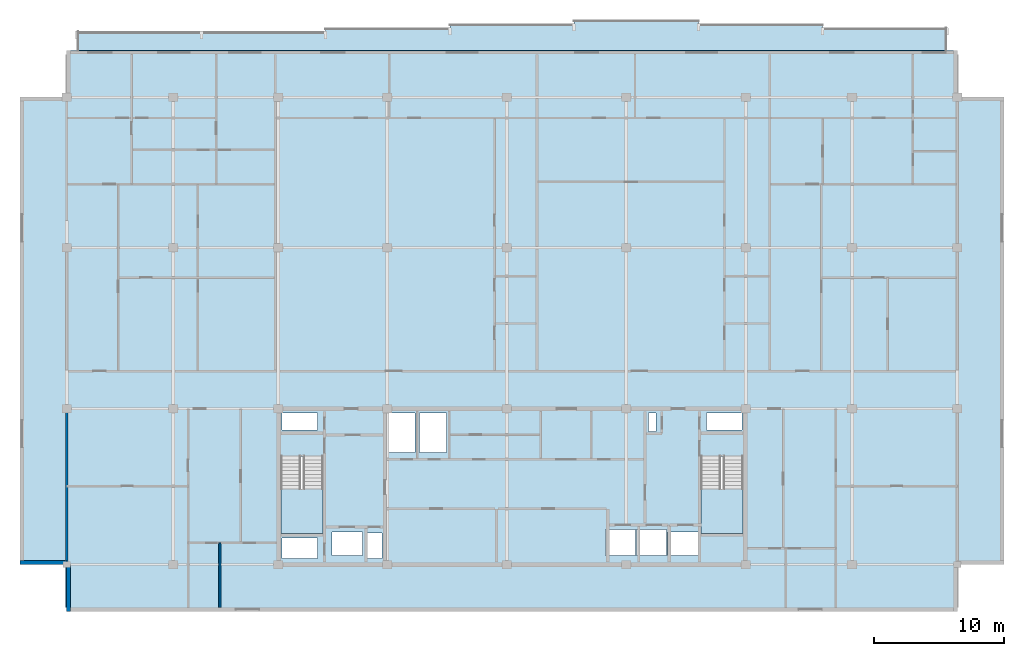
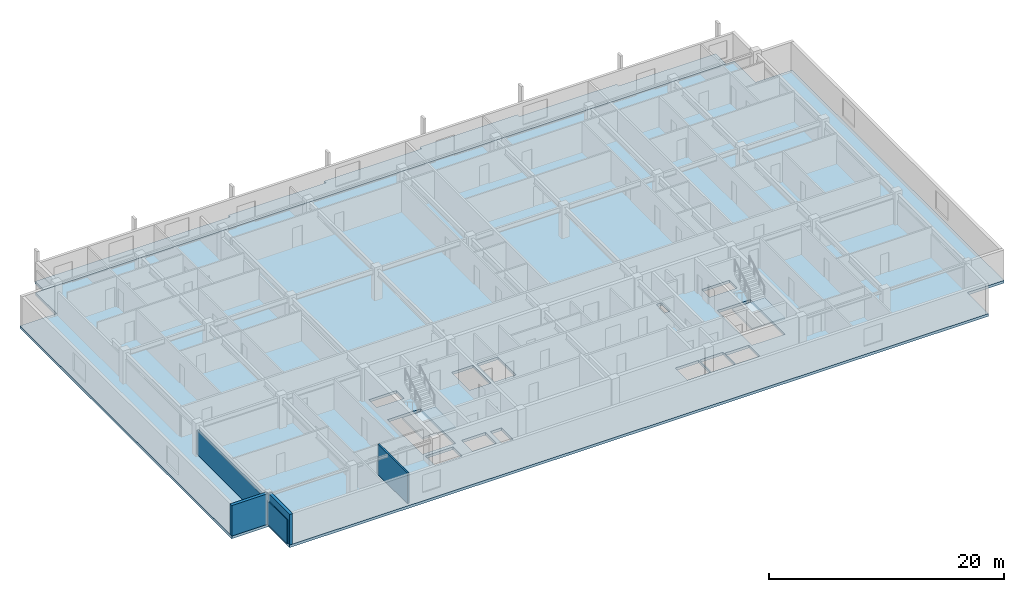
# One storey, part 2 of 10: 4 slabs, 4 walls, 2 elements without a shape of their own.
"""IFC4 building model written with IfcOpenShell, lengths in metres."""

from ifc_helpers import new_model, si_unit, direction, frame, frame_2d, origin, place, context, subcontext, project, spatial, polyline, rectangle, outline, extrude, material, layer, layer_set, type_object, element, aggregate, save


model = new_model("IFC4")

# Units and contexts
model_context = context("Model", 3, precision=1e-05, world=origin(), true_north=direction((0.0, 1.0)))
body_context = subcontext(model_context, "Body", "Model", "MODEL_VIEW")
ifc_project = project(units=[si_unit("LENGTHUNIT", "METRE"), si_unit("AREAUNIT", "SQUARE_METRE"), si_unit("VOLUMEUNIT", "CUBIC_METRE"), si_unit("PLANEANGLEUNIT", "RADIAN"), si_unit("MASSUNIT", "GRAM", prefix="KILO")], contexts=[model_context])

# Site, building, storey
site_placement = place(None, origin())
site = spatial("IfcSite", under=ifc_project, at=site_placement, CompositionType="ELEMENT")
building_placement = place(site_placement, origin())
building = spatial("IfcBuilding", under=site, at=building_placement, Name="Korimba Cascade Residences", CompositionType="ELEMENT")
storey_placement = place(building_placement, frame((0.0, 0.0, 245.89990234375)))
storey = spatial("IfcBuildingStorey", under=building, at=storey_placement, Name="L71", CompositionType="ELEMENT", Elevation=245.89990234375)

# Stair, slab
ifc_material_1 = material(Name="Concrete C50/60", Category="concrete")
stair_type_1 = type_object("IfcStairType", Name="STR-W1-20R-1725", PredefinedType="HALF_TURN_STAIR", material=ifc_material_1)
stair_1_placement = place(storey_placement, origin())
stair_1 = element("IfcStair", 1, at=stair_1_placement, inside=storey, type_object=stair_type_1, Name="L71 Tower 1 West Fire Stair ST-W1", PredefinedType="HALF_TURN_STAIR")
ifc_layer_1 = layer(ifc_material_1, 0.199951171875)
ifc_layer_set_1 = layer_set([ifc_layer_1], Name="Concrete C50/60")
slab_type_1 = type_object("IfcSlabType", Name="SLB-LND-220", PredefinedType="LANDING", material=ifc_layer_set_1)
slab_1_placement = place(storey_placement, frame((0.0, 0.0, 1.525146484375)))
slab_1 = element("IfcSlab", 2, at=slab_1_placement, type_object=slab_type_1, Name="ST-W1 landing 1", PredefinedType="LANDING", context=body_context, shape_type="SweptSolid", body=[
    extrude(outline(polyline([(76.300048828125, 61.030029296875), (76.300048828125, 57.60009765625), (79.5400390625, 57.60009765625), (79.5400390625, 61.030029296875), (76.300048828125, 61.030029296875)])), origin(), (0.0, 0.0, 1.0), 0.199951171875),
])
aggregate(stair_1, [slab_1])

stair_type_2 = type_object("IfcStairType", Name="STR-W2-20R-1725", PredefinedType="HALF_TURN_STAIR", material=ifc_material_1)
stair_2_placement = place(storey_placement, origin())
stair_2 = element("IfcStair", 3, at=stair_2_placement, inside=storey, type_object=stair_type_2, Name="L71 Tower 1 East Fire Stair ST-W2", PredefinedType="HALF_TURN_STAIR")
slab_2_placement = place(storey_placement, frame((0.0, 0.0, 1.525146484375)))
slab_2 = element("IfcSlab", 4, at=slab_2_placement, type_object=slab_type_1, Name="ST-W2 landing 1", PredefinedType="LANDING", context=body_context, shape_type="SweptSolid", body=[
    extrude(outline(polyline([(108.659912109375, 61.030029296875), (108.659912109375, 57.60009765625), (111.89990234375, 57.60009765625), (111.89990234375, 61.030029296875), (108.659912109375, 61.030029296875)])), origin(), (0.0, 0.0, 1.0), 0.199951171875),
])
aggregate(stair_2, [slab_2])

# Slabs
ifc_material_2 = material(Name="Precast concrete C40/50", Category="concrete")
ifc_layer_2 = layer(ifc_material_2, 0.239990234375)
ifc_layer_set_2 = layer_set([ifc_layer_2], Name="Precast concrete C40/50")
slab_type_2 = type_object("IfcSlabType", Name="SLB-LOG-240", PredefinedType="FLOOR", material=ifc_layer_set_2)
slab_3_placement = place(storey_placement, frame((0.0, 0.0, -0.239990234375)))
element("IfcSlab", 5, at=slab_3_placement, inside=storey, type_object=slab_type_2, Name="L71 Tower 1 North Loggia Slab", PredefinedType="FLOOR", context=body_context, shape_type="SweptSolid", body=[
    extrude(outline(polyline([(60.60009765625, 94.800048828125), (127.60009765625, 94.800048828125), (127.60009765625, 96.550048828125), (118.028564453125, 96.550048828125), (118.028564453125, 96.85009765625), (108.45703125, 96.85009765625), (108.45703125, 97.14990234375), (98.8857421875, 97.14990234375), (98.8857421875, 96.85009765625), (89.314208984375, 96.85009765625), (89.314208984375, 96.550048828125), (79.742919921875, 96.550048828125), (79.742919921875, 96.25), (60.60009765625, 96.25), (60.60009765625, 94.800048828125)])), origin(), (0.0, 0.0, 1.0), 0.239990234375),
])
ifc_layer_3 = layer(ifc_material_1, 0.280029296875)
ifc_layer_set_3 = layer_set([ifc_layer_3], Name="Concrete C50/60")
slab_type_3 = type_object("IfcSlabType", Name="SLB-TYP-280", PredefinedType="FLOOR", material=ifc_layer_set_3)
slab_4_placement = place(storey_placement, frame((0.0, 0.0, -0.27978515625)))
element("IfcSlab", 6, at=slab_4_placement, inside=storey, type_object=slab_type_3, Name="L71 Tower 1 Floor Slab", PredefinedType="FLOOR", context=body_context, shape_type="SweptSolid", body=[
    extrude(outline(polyline([(59.800048828125, 51.60009765625), (128.39990234375, 51.60009765625), (128.39990234375, 55.199951171875), (132.0, 55.199951171875), (132.0, 91.199951171875), (128.39990234375, 91.199951171875), (128.39990234375, 94.800048828125), (59.800048828125, 94.800048828125), (59.800048828125, 91.199951171875), (56.199951171875, 91.199951171875), (56.199951171875, 55.199951171875), (59.800048828125, 55.199951171875), (59.800048828125, 51.60009765625)]), holes=[polyline([(76.300048828125, 63.514892578125), (76.300048828125, 57.60009765625), (79.5400390625, 57.60009765625), (79.5400390625, 63.514892578125), (76.300048828125, 63.514892578125)]), polyline([(108.659912109375, 63.514892578125), (108.659912109375, 57.60009765625), (111.89990234375, 57.60009765625), (111.89990234375, 63.514892578125), (108.659912109375, 63.514892578125)]), polyline([(80.22998046875, 55.8798828125), (82.570068359375, 55.8798828125), (82.570068359375, 57.719970703125), (80.22998046875, 57.719970703125), (80.22998046875, 55.8798828125)]), polyline([(106.080078125, 55.8798828125), (108.419921875, 55.8798828125), (108.419921875, 57.719970703125), (106.080078125, 57.719970703125), (106.080078125, 55.8798828125)]), polyline([(101.304931640625, 55.8798828125), (103.594970703125, 55.8798828125), (103.594970703125, 57.919921875), (101.304931640625, 57.919921875), (101.304931640625, 55.8798828125)]), polyline([(103.705078125, 55.8798828125), (105.9951171875, 55.8798828125), (105.9951171875, 57.919921875), (103.705078125, 57.919921875), (103.705078125, 55.8798828125)]), polyline([(82.97998046875, 55.679931640625), (84.080078125, 55.679931640625), (84.080078125, 57.6201171875), (82.97998046875, 57.6201171875), (82.97998046875, 55.679931640625)]), polyline([(76.39990234375, 65.56005859375), (79.10009765625, 65.56005859375), (79.10009765625, 66.8798828125), (76.39990234375, 66.8798828125), (76.39990234375, 65.56005859375)]), polyline([(76.39990234375, 55.679931640625), (79.10009765625, 55.679931640625), (79.10009765625, 57.239990234375), (76.39990234375, 57.239990234375), (76.39990234375, 55.679931640625)]), polyline([(84.530029296875, 63.820068359375), (86.6201171875, 63.820068359375), (86.6201171875, 66.8798828125), (84.530029296875, 66.8798828125), (84.530029296875, 63.820068359375)]), polyline([(86.97998046875, 63.820068359375), (89.070068359375, 63.820068359375), (89.070068359375, 66.8798828125), (86.97998046875, 66.8798828125), (86.97998046875, 63.820068359375)]), polyline([(104.6201171875, 65.4599609375), (105.179931640625, 65.4599609375), (105.179931640625, 66.8798828125), (104.6201171875, 66.8798828125), (104.6201171875, 65.4599609375)]), polyline([(109.080078125, 65.56005859375), (111.800048828125, 65.56005859375), (111.800048828125, 66.8798828125), (109.080078125, 66.8798828125), (109.080078125, 65.56005859375)])]), origin(), (0.0, 0.0, 1.0), 0.27978515625),
])

# Walls
ifc_layer_4 = layer(ifc_material_2, 0.300048828125)
ifc_layer_set_4 = layer_set([ifc_layer_4], Name="Precast concrete C40/50")
wall_type_1 = type_object("IfcWallType", Name="EW-STONE-300", PredefinedType="STANDARD", material=ifc_layer_set_4)
wall_1_placement = place(storey_placement, frame((56.199951171875, 55.35009765625, 0.0), z_axis=(0.0, 0.0, 1.0), x_axis=(1.0, 0.0, 0.0)))
element("IfcWall", 7, at=wall_1_placement, inside=storey, type_object=wall_type_1, Name="L71 T1 Perimeter Stone Wall E10", PredefinedType="STANDARD", context=body_context, shape_type="SweptSolid", body=[
    extrude(rectangle(XDim=3.60009765625, YDim=0.300048828125, at=frame_2d((1.800048828125, 0.0))), origin(), (0.0, 0.0, 1.0), 3.170166015625),
])
wall_2_placement = place(storey_placement, frame((59.949951171875, 55.199951171875, 0.0), z_axis=(0.0, 0.0, 1.0), x_axis=(0.0, -1.0, 0.0)))
element("IfcWall", 8, at=wall_2_placement, inside=storey, type_object=wall_type_1, Name="L71 T1 Perimeter Stone Wall E11", PredefinedType="STANDARD", context=body_context, shape_type="SweptSolid", body=[
    extrude(rectangle(XDim=3.599853515625, YDim=0.300048828125, at=frame_2d((1.7998046875, 0.0))), origin(), (0.0, 0.0, 1.0), 3.170166015625),
])
ifc_layer_5 = layer(ifc_material_2, 0.199951171875)
ifc_layer_set_5 = layer_set([ifc_layer_5], Name="Precast concrete C40/50")
wall_type_2 = type_object("IfcWallType", Name="WAL-IT-200", PredefinedType="PARTITIONING", material=ifc_layer_set_5)
wall_3_placement = place(storey_placement, frame((59.800048828125, 51.89990234375, 0.0), z_axis=(0.0, 0.0, 1.0), x_axis=(0.0, 1.0, 0.0)))
element("IfcWall", 9, at=wall_3_placement, inside=storey, type_object=wall_type_2, Name="L71 Partition Wall WAL-L71-T1-FW-WL", PredefinedType="PARTITIONING", context=body_context, shape_type="SweptSolid", body=[
    extrude(rectangle(XDim=15.300048828125, YDim=0.199951171875, at=frame_2d((7.64990234375, 0.0))), origin(), (0.0, 0.0, 1.0), 2.477294921875),
])
ifc_material_3 = material(Name="Insulated Acoustic Stud Partition", Category="gypsum")
ifc_layer_6 = layer(ifc_material_3, 0.14990234375)
ifc_layer_set_6 = layer_set([ifc_layer_6], Name="Insulated Acoustic Stud Partition")
wall_type_3 = type_object("IfcWallType", Name="WAL-PART-150", PredefinedType="PARTITIONING", material=ifc_layer_set_6)
wall_4_placement = place(storey_placement, frame((71.60009765625, 51.89990234375, 0.0), z_axis=(0.0, 0.0, 1.0), x_axis=(0.0, 1.0, 0.0)))
element("IfcWall", 10, at=wall_4_placement, inside=storey, type_object=wall_type_3, Name="L71 Partition Wall WAL-L71-T1-FW-VS", PredefinedType="PARTITIONING", context=body_context, shape_type="SweptSolid", body=[
    extrude(rectangle(XDim=4.97021484375, YDim=0.14990234375, at=frame_2d((2.485107421875, 0.0))), origin(), (0.0, 0.0, 1.0), 3.170166015625),
])

save(model, "model.ifc")
